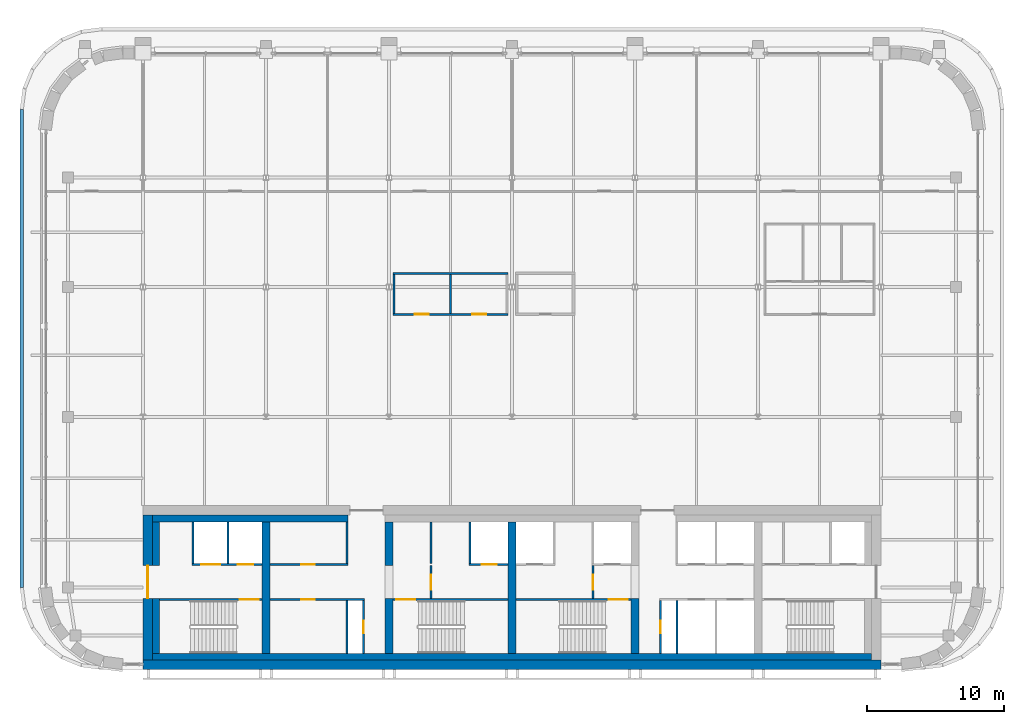
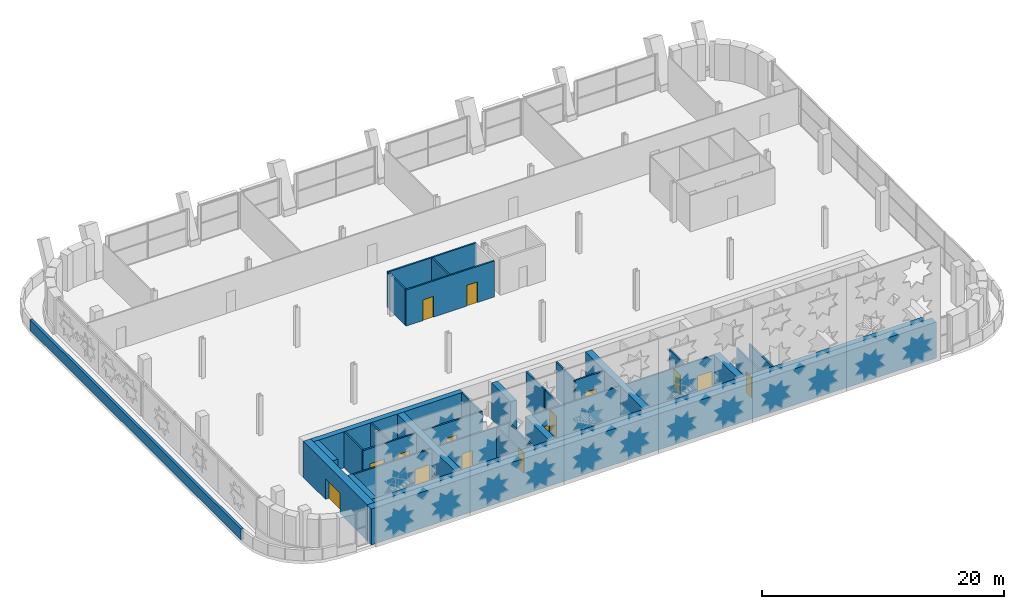
# One storey, part 16 of 25: 34 walls, 15 doors, 15 openings.
"""IFC4 building model written with IfcOpenShell, lengths in metres."""

from ifc_helpers import new_model, si_unit, direction, frame, frame_2d, origin, place, context, subcontext, project, spatial, rectangle, extrude, material, layer, layer_set, type_object, element, fill, save


model = new_model("IFC4")

# Units and contexts
model_context = context("Model", 3, precision=1e-05, world=origin(), true_north=direction((0.0, 1.0)))
body_context = subcontext(model_context, "Body", "Model", "MODEL_VIEW")
ifc_project = project(units=[si_unit("LENGTHUNIT", "METRE"), si_unit("AREAUNIT", "SQUARE_METRE"), si_unit("VOLUMEUNIT", "CUBIC_METRE"), si_unit("PLANEANGLEUNIT", "RADIAN"), si_unit("MASSUNIT", "GRAM", prefix="KILO")], contexts=[model_context])

# Site, building, storey
site_placement = place(None, origin())
site = spatial("IfcSite", under=ifc_project, at=site_placement, CompositionType="ELEMENT")
building_placement = place(site_placement, origin())
building = spatial("IfcBuilding", under=site, at=building_placement, Name="Zellij Exchange Tower", CompositionType="ELEMENT")
storey_placement = place(building_placement, frame((0.0, 0.0, 264.5)))
storey = spatial("IfcBuildingStorey", under=building, at=storey_placement, Name="L62", CompositionType="ELEMENT", Elevation=264.5)

# Walls
ifc_material_1 = material(Name="Concrete C50/60", Category="concrete")
ifc_layer_1 = layer(ifc_material_1, 0.60009765625)
ifc_layer_set_1 = layer_set([ifc_layer_1], Name="Concrete C50/60")
wall_type_1 = type_object("IfcWallType", Name="CORE-CW 600 C50/60", PredefinedType="SHEAR", material=ifc_layer_set_1)
wall_1_placement = place(storey_placement, frame((-18.0, -12.800048828125, 0.0), z_axis=(0.0, 0.0, 1.0), x_axis=(0.0, 1.0, 0.0)))
element("IfcWall", 1, at=wall_1_placement, inside=storey, type_object=wall_type_1, Name="Core cross wall x -18 L62", PredefinedType="SHEAR", context=body_context, shape_type="SweptSolid", body=[
    extrude(rectangle(XDim=9.60009765625, YDim=0.60009765625, at=frame_2d((4.800048828125, 0.0))), origin(), (0.0, 0.0, 1.0), 3.64990234375),
])
wall_2_placement = place(storey_placement, frame((-9.0, -12.800048828125, 0.0), z_axis=(0.0, 0.0, 1.0), x_axis=(0.0, 1.0, 0.0)))
element("IfcWall", 2, at=wall_2_placement, inside=storey, type_object=wall_type_1, Name="Core cross wall pier x -9 a L62", PredefinedType="SHEAR", context=body_context, shape_type="SweptSolid", body=[
    extrude(rectangle(XDim=4.0, YDim=0.60009765625, at=frame_2d((2.0, 0.0))), origin(), (0.0, 0.0, 1.0), 3.64990234375),
])
wall_3_placement = place(storey_placement, frame((-9.0, -6.375, 0.0), z_axis=(0.0, 0.0, 1.0), x_axis=(0.0, 1.0, 0.0)))
element("IfcWall", 3, at=wall_3_placement, inside=storey, type_object=wall_type_1, Name="Core cross wall pier x -9 b L62", PredefinedType="SHEAR", context=body_context, shape_type="SweptSolid", body=[
    extrude(rectangle(XDim=3.175048828125, YDim=0.60009765625, at=frame_2d((1.58740234375, 0.0))), origin(), (0.0, 0.0, 1.0), 3.64990234375),
])
wall_4_placement = place(storey_placement, frame((0.0, -12.800048828125, 0.0), z_axis=(0.0, 0.0, 1.0), x_axis=(0.0, 1.0, 0.0)))
element("IfcWall", 4, at=wall_4_placement, inside=storey, type_object=wall_type_1, Name="Core cross wall x 0 L62", PredefinedType="SHEAR", context=body_context, shape_type="SweptSolid", body=[
    extrude(rectangle(XDim=9.60009765625, YDim=0.60009765625, at=frame_2d((4.800048828125, 0.0))), origin(), (0.0, 0.0, 1.0), 3.64990234375),
])
wall_5_placement = place(storey_placement, frame((9.0, -12.800048828125, 0.0), z_axis=(0.0, 0.0, 1.0), x_axis=(0.0, 1.0, 0.0)))
element("IfcWall", 5, at=wall_5_placement, inside=storey, type_object=wall_type_1, Name="Core cross wall pier x 9 a L62", PredefinedType="SHEAR", context=body_context, shape_type="SweptSolid", body=[
    extrude(rectangle(XDim=4.0, YDim=0.60009765625, at=frame_2d((2.0, 0.0))), origin(), (0.0, 0.0, 1.0), 3.64990234375),
])
ifc_material_2 = material(Name="Concrete C30/37", Category="concrete")
ifc_layer_2 = layer(ifc_material_2, 0.5)
ifc_layer_set_2 = layer_set([ifc_layer_2], Name="Concrete C30/37")
wall_type_2 = type_object("IfcWallType", Name="CORE-LW 500 C30/37", PredefinedType="SHEAR", material=ifc_layer_set_2)
wall_6_placement = place(storey_placement, frame((-26.300048828125, -2.949951171875, 0.0), z_axis=(0.0, 0.0, 1.0), x_axis=(1.0, 0.0, 0.0)))
element("IfcWall", 6, at=wall_6_placement, inside=storey, type_object=wall_type_2, Name="Core wall lining front.0 L62", PredefinedType="SHEAR", context=body_context, shape_type="SweptSolid", body=[
    extrude(rectangle(XDim=14.300048828125, YDim=0.5, at=frame_2d((7.14990234375, 0.0))), origin(), (0.0, 0.0, 1.0), 3.64990234375),
])
wall_7_placement = place(storey_placement, frame((-26.300048828125, -13.050048828125, 0.0), z_axis=(0.0, 0.0, 1.0), x_axis=(1.0, 0.0, 0.0)))
element("IfcWall", 7, at=wall_7_placement, inside=storey, type_object=wall_type_2, Name="Core wall lining rear.0 L62", PredefinedType="SHEAR", context=body_context, shape_type="SweptSolid", body=[
    extrude(rectangle(XDim=52.60009765625, YDim=0.5, at=frame_2d((26.300048828125, 0.0))), origin(), (0.0, 0.0, 1.0), 3.64990234375),
])
wall_8_placement = place(storey_placement, frame((-26.050048828125, -12.800048828125, 0.0), z_axis=(0.0, 0.0, 1.0), x_axis=(0.0, 1.0, 0.0)))
element("IfcWall", 8, at=wall_8_placement, inside=storey, type_object=wall_type_2, Name="Core wall lining end w.0 L62", PredefinedType="SHEAR", context=body_context, shape_type="SweptSolid", body=[
    extrude(rectangle(XDim=4.0, YDim=0.5, at=frame_2d((2.0, 0.0))), origin(), (0.0, 0.0, 1.0), 3.64990234375),
])
wall_9_placement = place(storey_placement, frame((-26.050048828125, -6.375, 0.0), z_axis=(0.0, 0.0, 1.0), x_axis=(0.0, 1.0, 0.0)))
element("IfcWall", 9, at=wall_9_placement, inside=storey, type_object=wall_type_2, Name="Core wall lining end w.1 L62", PredefinedType="SHEAR", context=body_context, shape_type="SweptSolid", body=[
    extrude(rectangle(XDim=3.175048828125, YDim=0.5, at=frame_2d((1.58740234375, 0.0))), origin(), (0.0, 0.0, 1.0), 3.64990234375),
])

# Wall, opening, door
ifc_material_3 = material(Name="Gypsum shaft wall system")
ifc_layer_3 = layer(ifc_material_3, 0.14990234375)
ifc_layer_set_3 = layer_set([ifc_layer_3], Name="Gypsum shaft wall system")
wall_type_3 = type_object("IfcWallType", Name="CORE-PW 150 Firefighting lobby wall", PredefinedType="PARTITIONING", material=ifc_layer_set_3)
wall_10_placement = place(storey_placement, frame((-5.925048828125, -8.800048828125, 0.0), z_axis=(0.0, 0.0, 1.0), x_axis=(0.0, 1.0, 0.0)))
wall_10 = element("IfcWall", 10, at=wall_10_placement, inside=storey, type_object=wall_type_3, Name="Firefighting lobby wall L62", PredefinedType="PARTITIONING", context=body_context, shape_type="SweptSolid", body=[
    extrude(rectangle(XDim=2.425048828125, YDim=0.14990234375, at=frame_2d((1.21240234375, 0.0))), origin(), (0.0, 0.0, 1.0), 3.64990234375),
])
opening_1_placement = place(wall_10_placement, frame((0.662109375, 0.0, 0.0)))
opening_1 = element("IfcOpeningElement", 11, at=opening_1_placement, cuts=wall_10, Name="Opening CA-32.10", PredefinedType="OPENING", context=body_context, shape_type="SweptSolid", body=[
    extrude(rectangle(XDim=1.10009765625, YDim=2.10009765625, at=frame_2d((0.550048828125, 1.050048828125))), frame((0.0, 0.0869140625, 0.0), z_axis=(0.0, -1.0, 0.0), x_axis=(1.0, 0.0, 0.0)), (0.0, 0.0, 1.0), 0.173828125),
])
ifc_material_4 = material(Name="Hollow metal fire door")
door_type_1 = type_object("IfcDoorType", Name="CORE-D F Firefighting lobby door 1100x2100 1 HR", OperationType="NOTDEFINED", PredefinedType="DOOR", material=ifc_material_4)
door_1_placement = place(opening_1_placement, origin())
door_1 = element("IfcDoor", 12, at=door_1_placement, inside=storey, type_object=door_type_1, Name="Firefighting lobby door CA-32.10", OperationType="SINGLE_SWING_LEFT", OverallHeight=2.10009765625, OverallWidth=1.10009765625, PredefinedType="DOOR", context=body_context, shape_type="SweptSolid", body=[
    extrude(rectangle(XDim=1.10009765625, YDim=2.10009765625, at=frame_2d((0.550048828125, 1.050048828125))), frame((0.0, 0.02490234375, 0.0), z_axis=(0.0, -1.0, 0.0), x_axis=(1.0, 0.0, 0.0)), (0.0, 0.0, 1.0), 0.050048828125),
])
fill(opening_1, door_1)

wall_11_placement = place(storey_placement, frame((5.925048828125, -8.800048828125, 0.0), z_axis=(0.0, 0.0, 1.0), x_axis=(0.0, 1.0, 0.0)))
wall_11 = element("IfcWall", 13, at=wall_11_placement, inside=storey, type_object=wall_type_3, Name="Firefighting lobby wall L62", PredefinedType="PARTITIONING", context=body_context, shape_type="SweptSolid", body=[
    extrude(rectangle(XDim=2.425048828125, YDim=0.14990234375, at=frame_2d((1.21240234375, 0.0))), origin(), (0.0, 0.0, 1.0), 3.64990234375),
])
opening_2_placement = place(wall_11_placement, frame((0.662109375, 0.0, 0.0)))
opening_2 = element("IfcOpeningElement", 14, at=opening_2_placement, cuts=wall_11, Name="Opening CA-32.13", PredefinedType="OPENING", context=body_context, shape_type="SweptSolid", body=[
    extrude(rectangle(XDim=1.10009765625, YDim=2.10009765625, at=frame_2d((0.550048828125, 1.050048828125))), frame((0.0, 0.0869140625, 0.0), z_axis=(0.0, -1.0, 0.0), x_axis=(1.0, 0.0, 0.0)), (0.0, 0.0, 1.0), 0.173828125),
])
door_2_placement = place(opening_2_placement, origin())
door_2 = element("IfcDoor", 15, at=door_2_placement, inside=storey, type_object=door_type_1, Name="Firefighting lobby door CA-32.13", OperationType="SINGLE_SWING_RIGHT", OverallHeight=2.10009765625, OverallWidth=1.10009765625, PredefinedType="DOOR", context=body_context, shape_type="SweptSolid", body=[
    extrude(rectangle(XDim=1.10009765625, YDim=2.10009765625, at=frame_2d((0.550048828125, 1.050048828125))), frame((0.0, 0.02490234375, 0.0), z_axis=(0.0, -1.0, 0.0), x_axis=(1.0, 0.0, 0.0)), (0.0, 0.0, 1.0), 0.050048828125),
])
fill(opening_2, door_2)

# Walls
ifc_material_5 = material(Name="Gypsum board partition")
ifc_layer_4 = layer(ifc_material_5, 0.14990234375)
ifc_layer_set_4 = layer_set([ifc_layer_4], Name="Gypsum board partition")
wall_type_4 = type_object("IfcWallType", Name="CORE-PW 150 Lift lobby wall", PredefinedType="PARTITIONING", material=ifc_layer_set_4)
for number, where, z_axis, x_axis, name in (
    (16, (-12.074951171875, -6.22509765625, 0.0), (0.0, 0.0, 1.0), (0.0, 1.0, 0.0), "Lift lobby wall L62"),
    (17, (-5.925048828125, -6.22509765625, 0.0), (0.0, 0.0, 1.0), (0.0, 1.0, 0.0), "Lift lobby wall L62"),
):
    element("IfcWall", number, at=place(storey_placement, frame(where, z_axis=z_axis, x_axis=x_axis)), inside=storey, type_object=wall_type_4, Name=name, PredefinedType="PARTITIONING", context=body_context, shape_type="SweptSolid", body=[
        extrude(rectangle(XDim=3.025146484375, YDim=0.14990234375, at=frame_2d((1.5126953125, 0.0))), origin(), (0.0, 0.0, 1.0), 3.64990234375),
    ])

# Wall, opening, door
wall_12_placement = place(storey_placement, frame((-10.875, -12.800048828125, 0.0), z_axis=(0.0, 0.0, 1.0), x_axis=(0.0, 1.0, 0.0)))
wall_12 = element("IfcWall", 18, at=wall_12_placement, inside=storey, type_object=wall_type_4, Name="Lift lobby wall L62", PredefinedType="PARTITIONING", context=body_context, shape_type="SweptSolid", body=[
    extrude(rectangle(XDim=3.85009765625, YDim=0.14990234375, at=frame_2d((1.925048828125, 0.0))), origin(), (0.0, 0.0, 1.0), 3.64990234375),
])
opening_3_placement = place(wall_12_placement, frame((1.47509765625, 0.0, 0.0)))
opening_3 = element("IfcOpeningElement", 19, at=opening_3_placement, cuts=wall_12, Name="Opening CA-32.07", PredefinedType="OPENING", context=body_context, shape_type="SweptSolid", body=[
    extrude(rectangle(XDim=0.89990234375, YDim=2.10009765625, at=frame_2d((0.449951171875, 1.050048828125))), frame((0.0, 0.0869140625, 0.0), z_axis=(0.0, -1.0, 0.0), x_axis=(1.0, 0.0, 0.0)), (0.0, 0.0, 1.0), 0.173828125),
])
door_type_2 = type_object("IfcDoorType", Name="CORE-D RD Riser door 900x2100 1.5 HR", OperationType="NOTDEFINED", PredefinedType="DOOR", material=ifc_material_4)
door_3_placement = place(opening_3_placement, origin())
door_3 = element("IfcDoor", 20, at=door_3_placement, inside=storey, type_object=door_type_2, Name="Riser door CA-32.07", OperationType="SINGLE_SWING_RIGHT", OverallHeight=2.10009765625, OverallWidth=0.89990234375, PredefinedType="DOOR", context=body_context, shape_type="SweptSolid", body=[
    extrude(rectangle(XDim=0.89990234375, YDim=2.10009765625, at=frame_2d((0.449951171875, 1.050048828125))), frame((0.0, 0.02490234375, 0.0), z_axis=(0.0, -1.0, 0.0), x_axis=(1.0, 0.0, 0.0)), (0.0, 0.0, 1.0), 0.050048828125),
])
fill(opening_3, door_3)

# Wall
wall_13_placement = place(storey_placement, frame((-12.074951171875, -12.800048828125, 0.0), z_axis=(0.0, 0.0, 1.0), x_axis=(0.0, 1.0, 0.0)))
element("IfcWall", 21, at=wall_13_placement, inside=storey, type_object=wall_type_4, Name="Lift lobby wall L62", PredefinedType="PARTITIONING", context=body_context, shape_type="SweptSolid", body=[
    extrude(rectangle(XDim=3.85009765625, YDim=0.14990234375, at=frame_2d((1.925048828125, 0.0))), origin(), (0.0, 0.0, 1.0), 3.64990234375),
])

# Wall, opening, door
wall_14_placement = place(storey_placement, frame((10.875, -12.800048828125, 0.0), z_axis=(0.0, 0.0, 1.0), x_axis=(0.0, 1.0, 0.0)))
wall_14 = element("IfcWall", 22, at=wall_14_placement, inside=storey, type_object=wall_type_4, Name="Lift lobby wall L62", PredefinedType="PARTITIONING", context=body_context, shape_type="SweptSolid", body=[
    extrude(rectangle(XDim=3.85009765625, YDim=0.14990234375, at=frame_2d((1.925048828125, 0.0))), origin(), (0.0, 0.0, 1.0), 3.64990234375),
])
opening_4_placement = place(wall_14_placement, frame((1.47509765625, 0.0, 0.0)))
opening_4 = element("IfcOpeningElement", 23, at=opening_4_placement, cuts=wall_14, Name="Opening CA-32.17", PredefinedType="OPENING", context=body_context, shape_type="SweptSolid", body=[
    extrude(rectangle(XDim=0.89990234375, YDim=2.10009765625, at=frame_2d((0.449951171875, 1.050048828125))), frame((0.0, 0.0869140625, 0.0), z_axis=(0.0, -1.0, 0.0), x_axis=(1.0, 0.0, 0.0)), (0.0, 0.0, 1.0), 0.173828125),
])
door_4_placement = place(opening_4_placement, origin())
door_4 = element("IfcDoor", 24, at=door_4_placement, inside=storey, type_object=door_type_2, Name="Riser door CA-32.17", OperationType="SINGLE_SWING_LEFT", OverallHeight=2.10009765625, OverallWidth=0.89990234375, PredefinedType="DOOR", context=body_context, shape_type="SweptSolid", body=[
    extrude(rectangle(XDim=0.89990234375, YDim=2.10009765625, at=frame_2d((0.449951171875, 1.050048828125))), frame((0.0, 0.02490234375, 0.0), z_axis=(0.0, -1.0, 0.0), x_axis=(1.0, 0.0, 0.0)), (0.0, 0.0, 1.0), 0.050048828125),
])
fill(opening_4, door_4)

wall_15_placement = place(storey_placement, frame((-17.699951171875, -6.300048828125, 0.0), z_axis=(0.0, 0.0, 1.0), x_axis=(1.0, 0.0, 0.0)))
wall_15 = element("IfcWall", 25, at=wall_15_placement, inside=storey, type_object=wall_type_4, Name="Lift lobby wall L62", PredefinedType="PARTITIONING", context=body_context, shape_type="SweptSolid", body=[
    extrude(rectangle(XDim=5.699951171875, YDim=0.14990234375, at=frame_2d((2.85009765625, 0.0))), origin(), (0.0, 0.0, 1.0), 3.64990234375),
])
opening_5_placement = place(wall_15_placement, frame((2.27490234375, 0.0, 0.0)))
opening_5 = element("IfcOpeningElement", 26, at=opening_5_placement, cuts=wall_15, Name="Opening CA-32.06", PredefinedType="OPENING", context=body_context, shape_type="SweptSolid", body=[
    extrude(rectangle(XDim=1.0, YDim=2.10009765625, at=frame_2d((0.5, 1.050048828125))), frame((0.0, 0.0869140625, 0.0), z_axis=(0.0, -1.0, 0.0), x_axis=(1.0, 0.0, 0.0)), (0.0, 0.0, 1.0), 0.173828125),
])
door_type_3 = type_object("IfcDoorType", Name="CORE-D CD Core room door 1000x2100 1 HR", OperationType="NOTDEFINED", PredefinedType="DOOR", material=ifc_material_4)
door_5_placement = place(opening_5_placement, origin())
door_5 = element("IfcDoor", 27, at=door_5_placement, inside=storey, type_object=door_type_3, Name="Core room door CA-32.06", OperationType="SINGLE_SWING_LEFT", OverallHeight=2.10009765625, OverallWidth=1.0, PredefinedType="DOOR", context=body_context, shape_type="SweptSolid", body=[
    extrude(rectangle(XDim=1.0, YDim=2.10009765625, at=frame_2d((0.5, 1.050048828125))), frame((0.0, 0.02490234375, 0.0), z_axis=(0.0, -1.0, 0.0), x_axis=(1.0, 0.0, 0.0)), (0.0, 0.0, 1.0), 0.050048828125),
])
fill(opening_5, door_5)

wall_16_placement = place(storey_placement, frame((-17.699951171875, -8.875, 0.0), z_axis=(0.0, 0.0, 1.0), x_axis=(1.0, 0.0, 0.0)))
wall_16 = element("IfcWall", 28, at=wall_16_placement, inside=storey, type_object=wall_type_4, Name="Lift lobby wall L62", PredefinedType="PARTITIONING", context=body_context, shape_type="SweptSolid", body=[
    extrude(rectangle(XDim=6.89990234375, YDim=0.14990234375, at=frame_2d((3.449951171875, 0.0))), origin(), (0.0, 0.0, 1.0), 3.64990234375),
])
opening_6_placement = place(wall_16_placement, frame((2.27490234375, 0.0, 0.0)))
opening_6 = element("IfcOpeningElement", 29, at=opening_6_placement, cuts=wall_16, Name="Opening CA-32.05", PredefinedType="OPENING", context=body_context, shape_type="SweptSolid", body=[
    extrude(rectangle(XDim=1.0, YDim=2.10009765625, at=frame_2d((0.5, 1.050048828125))), frame((0.0, 0.0869140625, 0.0), z_axis=(0.0, -1.0, 0.0), x_axis=(1.0, 0.0, 0.0)), (0.0, 0.0, 1.0), 0.173828125),
])
door_6_placement = place(opening_6_placement, origin())
door_6 = element("IfcDoor", 30, at=door_6_placement, inside=storey, type_object=door_type_3, Name="Core room door CA-32.05", OperationType="SINGLE_SWING_RIGHT", OverallHeight=2.10009765625, OverallWidth=1.0, PredefinedType="DOOR", context=body_context, shape_type="SweptSolid", body=[
    extrude(rectangle(XDim=1.0, YDim=2.10009765625, at=frame_2d((0.5, 1.050048828125))), frame((0.0, 0.02490234375, 0.0), z_axis=(0.0, -1.0, 0.0), x_axis=(1.0, 0.0, 0.0)), (0.0, 0.0, 1.0), 0.050048828125),
])
fill(opening_6, door_6)

# Walls
ifc_layer_5 = layer(ifc_material_3, 0.14990234375)
ifc_layer_set_5 = layer_set([ifc_layer_5], Name="Gypsum shaft wall system")
wall_type_5 = type_object("IfcWallType", Name="CORE-PW 150 Lift shaft wall", PredefinedType="PARTITIONING", material=ifc_layer_set_5)
for number, where, z_axis, x_axis, name in (
    (31, (-20.77490234375, -6.22509765625, 0.0), (0.0, 0.0, 1.0), (0.0, 1.0, 0.0), "Lift shaft wall L62"),
    (32, (-23.324951171875, -6.22509765625, 0.0), (0.0, 0.0, 1.0), (0.0, 1.0, 0.0), "Lift shaft wall L62"),
    (33, (-3.074951171875, -6.22509765625, 0.0), (0.0, 0.0, 1.0), (0.0, 1.0, 0.0), "Lift shaft wall L62"),
):
    element("IfcWall", number, at=place(storey_placement, frame(where, z_axis=z_axis, x_axis=x_axis)), inside=storey, type_object=wall_type_5, Name=name, PredefinedType="PARTITIONING", context=body_context, shape_type="SweptSolid", body=[
        extrude(rectangle(XDim=3.025146484375, YDim=0.14990234375, at=frame_2d((1.5126953125, 0.0))), origin(), (0.0, 0.0, 1.0), 3.64990234375),
    ])
wall_17_placement = place(storey_placement, frame((12.074951171875, -12.800048828125, 0.0), z_axis=(0.0, 0.0, 1.0), x_axis=(0.0, 1.0, 0.0)))
element("IfcWall", 34, at=wall_17_placement, inside=storey, type_object=wall_type_5, Name="Lift shaft wall L62", PredefinedType="PARTITIONING", context=body_context, shape_type="SweptSolid", body=[
    extrude(rectangle(XDim=3.85009765625, YDim=0.14990234375, at=frame_2d((1.925048828125, 0.0))), origin(), (0.0, 0.0, 1.0), 3.64990234375),
])

# Wall, openings, doors
wall_18_placement = place(storey_placement, frame((-23.39990234375, -6.300048828125, 0.0), z_axis=(0.0, 0.0, 1.0), x_axis=(1.0, 0.0, 0.0)))
wall_18 = element("IfcWall", 35, at=wall_18_placement, inside=storey, type_object=wall_type_5, Name="Lift shaft wall L62", PredefinedType="PARTITIONING", context=body_context, shape_type="SweptSolid", body=[
    extrude(rectangle(XDim=5.099853515625, YDim=0.14990234375, at=frame_2d((2.5498046875, 0.0))), origin(), (0.0, 0.0, 1.0), 3.64990234375),
])
opening_7_placement = place(wall_18_placement, frame((0.64990234375, 0.0, 0.0)))
opening_7 = element("IfcOpeningElement", 36, at=opening_7_placement, cuts=wall_18, Name="Opening CA-32.02", PredefinedType="OPENING", context=body_context, shape_type="SweptSolid", body=[
    extrude(rectangle(XDim=1.39990234375, YDim=2.10009765625, at=frame_2d((0.699951171875, 1.050048828125))), frame((0.0, 0.0869140625, 0.0), z_axis=(0.0, -1.0, 0.0), x_axis=(1.0, 0.0, 0.0)), (0.0, 0.0, 1.0), 0.173828125),
])
opening_8_placement = place(wall_18_placement, frame((3.35009765625, 0.0, 0.0)))
opening_8 = element("IfcOpeningElement", 37, at=opening_8_placement, cuts=wall_18, Name="Opening CA-32.03", PredefinedType="OPENING", context=body_context, shape_type="SweptSolid", body=[
    extrude(rectangle(XDim=1.10009765625, YDim=2.10009765625, at=frame_2d((0.550048828125, 1.050048828125))), frame((0.0, 0.0869140625, 0.0), z_axis=(0.0, -1.0, 0.0), x_axis=(1.0, 0.0, 0.0)), (0.0, 0.0, 1.0), 0.173828125),
])
door_type_4 = type_object("IfcDoorType", Name="CORE-D LD Lift landing door 1100x2100 1.5 HR", OperationType="NOTDEFINED", PredefinedType="DOOR", material=ifc_material_4)
door_7_placement = place(opening_8_placement, origin())
door_7 = element("IfcDoor", 38, at=door_7_placement, inside=storey, type_object=door_type_4, Name="Lift landing door CA-32.03", OperationType="SLIDING_TO_LEFT", OverallHeight=2.10009765625, OverallWidth=1.10009765625, PredefinedType="DOOR", context=body_context, shape_type="SweptSolid", body=[
    extrude(rectangle(XDim=1.10009765625, YDim=2.10009765625, at=frame_2d((0.550048828125, 1.050048828125))), frame((0.0, 0.02490234375, 0.0), z_axis=(0.0, -1.0, 0.0), x_axis=(1.0, 0.0, 0.0)), (0.0, 0.0, 1.0), 0.050048828125),
])
fill(opening_8, door_7)
door_type_5 = type_object("IfcDoorType", Name="CORE-D LD2 Service lift landing door 1400x2100 1.5 HR", OperationType="NOTDEFINED", PredefinedType="DOOR", material=ifc_material_4)
door_8_placement = place(opening_7_placement, origin())
door_8 = element("IfcDoor", 39, at=door_8_placement, inside=storey, type_object=door_type_5, Name="Service lift landing door CA-32.02", OperationType="SLIDING_TO_RIGHT", OverallHeight=2.10009765625, OverallWidth=1.39990234375, PredefinedType="DOOR", context=body_context, shape_type="SweptSolid", body=[
    extrude(rectangle(XDim=1.39990234375, YDim=2.10009765625, at=frame_2d((0.699951171875, 1.050048828125))), frame((0.0, 0.02490234375, 0.0), z_axis=(0.0, -1.0, 0.0), x_axis=(1.0, 0.0, 0.0)), (0.0, 0.0, 1.0), 0.050048828125),
])
fill(opening_7, door_8)

# Wall, opening, door
wall_19_placement = place(storey_placement, frame((-3.14990234375, -6.300048828125, 0.0), z_axis=(0.0, 0.0, 1.0), x_axis=(1.0, 0.0, 0.0)))
wall_19 = element("IfcWall", 40, at=wall_19_placement, inside=storey, type_object=wall_type_5, Name="Lift shaft wall L62", PredefinedType="PARTITIONING", context=body_context, shape_type="SweptSolid", body=[
    extrude(rectangle(XDim=2.849853515625, YDim=0.14990234375, at=frame_2d((1.4248046875, 0.0))), origin(), (0.0, 0.0, 1.0), 3.64990234375),
])
opening_9_placement = place(wall_19_placement, frame((0.949951171875, 0.0, 0.0)))
opening_9 = element("IfcOpeningElement", 41, at=opening_9_placement, cuts=wall_19, Name="Opening CA-32.11", PredefinedType="OPENING", context=body_context, shape_type="SweptSolid", body=[
    extrude(rectangle(XDim=1.10009765625, YDim=2.10009765625, at=frame_2d((0.550048828125, 1.050048828125))), frame((0.0, 0.0869140625, 0.0), z_axis=(0.0, -1.0, 0.0), x_axis=(1.0, 0.0, 0.0)), (0.0, 0.0, 1.0), 0.173828125),
])
door_9_placement = place(opening_9_placement, origin())
door_9 = element("IfcDoor", 42, at=door_9_placement, inside=storey, type_object=door_type_4, Name="Lift landing door CA-32.11", OperationType="SLIDING_TO_LEFT", OverallHeight=2.10009765625, OverallWidth=1.10009765625, PredefinedType="DOOR", context=body_context, shape_type="SweptSolid", body=[
    extrude(rectangle(XDim=1.10009765625, YDim=2.10009765625, at=frame_2d((0.550048828125, 1.050048828125))), frame((0.0, 0.02490234375, 0.0), z_axis=(0.0, -1.0, 0.0), x_axis=(1.0, 0.0, 0.0)), (0.0, 0.0, 1.0), 0.050048828125),
])
fill(opening_9, door_9)

# Wall
ifc_layer_6 = layer(ifc_material_1, 0.699951171875)
ifc_layer_set_6 = layer_set([ifc_layer_6], Name="Concrete C50/60")
wall_type_6 = type_object("IfcWallType", Name="CORE-SW 700 C50/60", PredefinedType="SHEAR", material=ifc_layer_set_6)
wall_20_placement = place(storey_placement, frame((-27.0, -13.64990234375, 0.0), z_axis=(0.0, 0.0, 1.0), x_axis=(1.0, 0.0, 0.0)))
element("IfcWall", 43, at=wall_20_placement, inside=storey, type_object=wall_type_6, Name="Core shear wall rear L62", PredefinedType="SHEAR", context=body_context, shape_type="SweptSolid", body=[
    extrude(rectangle(XDim=54.0, YDim=0.699951171875, at=frame_2d((27.0, 0.0))), origin(), (0.0, 0.0, 1.0), 3.64990234375),
])

# Wall, opening, door
wall_21_placement = place(storey_placement, frame((-26.64990234375, -13.300048828125, 0.0), z_axis=(0.0, 0.0, 1.0), x_axis=(0.0, 1.0, 0.0)))
wall_21 = element("IfcWall", 44, at=wall_21_placement, inside=storey, type_object=wall_type_6, Name="Core shear wall end w L62", PredefinedType="SHEAR", context=body_context, shape_type="SweptSolid", body=[
    extrude(rectangle(XDim=10.60009765625, YDim=0.699951171875, at=frame_2d((5.300048828125, 0.0))), origin(), (0.0, 0.0, 1.0), 3.64990234375),
])
opening_10_placement = place(wall_21_placement, frame((4.511962890625, 0.0, 0.0)))
opening_10 = element("IfcOpeningElement", 45, at=opening_10_placement, cuts=wall_21, Name="Opening CA-32.01", PredefinedType="OPENING", context=body_context, shape_type="SweptSolid", body=[
    extrude(rectangle(XDim=2.39990234375, YDim=2.10009765625, at=frame_2d((1.199951171875, 1.050048828125))), frame((0.0, 0.36181640625, 0.0), z_axis=(0.0, -1.0, 0.0), x_axis=(1.0, 0.0, 0.0)), (0.0, 0.0, 1.0), 0.723876953125),
])
door_type_6 = type_object("IfcDoorType", Name="CORE-D CE Core entrance door 2400x2100 20 MIN", OperationType="NOTDEFINED", PredefinedType="DOOR", material=ifc_material_4)
door_10_placement = place(opening_10_placement, origin())
door_10 = element("IfcDoor", 46, at=door_10_placement, inside=storey, type_object=door_type_6, Name="Core entrance door CA-32.01", OperationType="DOUBLE_DOOR_SINGLE_SWING", OverallHeight=2.10009765625, OverallWidth=2.39990234375, PredefinedType="DOOR", context=body_context, shape_type="SweptSolid", body=[
    extrude(rectangle(XDim=2.39990234375, YDim=2.10009765625, at=frame_2d((1.199951171875, 1.050048828125))), frame((0.0, 0.02490234375, 0.0), z_axis=(0.0, -1.0, 0.0), x_axis=(1.0, 0.0, 0.0)), (0.0, 0.0, 1.0), 0.050048828125),
])
fill(opening_10, door_10)

ifc_layer_7 = layer(ifc_material_1, 0.14990234375)
ifc_layer_set_7 = layer_set([ifc_layer_7], Name="Concrete C50/60")
wall_type_7 = type_object("IfcWallType", Name="CORE-SWS 150 C50/60", PredefinedType="SHEAR", material=ifc_layer_set_7)
wall_22_placement = place(storey_placement, frame((-25.800048828125, -8.875, 0.0), z_axis=(0.0, 0.0, 1.0), x_axis=(1.0, 0.0, 0.0)))
wall_22 = element("IfcWall", 47, at=wall_22_placement, inside=storey, type_object=wall_type_7, Name="Stair enclosure wall L62", PredefinedType="SHEAR", context=body_context, shape_type="SweptSolid", body=[
    extrude(rectangle(XDim=7.5, YDim=0.14990234375, at=frame_2d((3.75, 0.0))), origin(), (0.0, 0.0, 1.0), 3.64990234375),
])
opening_11_placement = place(wall_22_placement, frame((5.875, 0.0, 0.0)))
opening_11 = element("IfcOpeningElement", 48, at=opening_11_placement, cuts=wall_22, Name="Opening CA-32.04", PredefinedType="OPENING", context=body_context, shape_type="SweptSolid", body=[
    extrude(rectangle(XDim=1.39990234375, YDim=2.10009765625, at=frame_2d((0.699951171875, 1.050048828125))), frame((0.0, 0.0869140625, 0.0), z_axis=(0.0, -1.0, 0.0), x_axis=(1.0, 0.0, 0.0)), (0.0, 0.0, 1.0), 0.173828125),
])
door_type_7 = type_object("IfcDoorType", Name="CORE-D SD Stair door 1400x2100 1.5 HR", OperationType="NOTDEFINED", PredefinedType="DOOR", material=ifc_material_4)
door_11_placement = place(opening_11_placement, origin())
door_11 = element("IfcDoor", 49, at=door_11_placement, inside=storey, type_object=door_type_7, Name="Stair door CA-32.04", OperationType="DOUBLE_DOOR_SINGLE_SWING", OverallHeight=2.10009765625, OverallWidth=1.39990234375, PredefinedType="DOOR", context=body_context, shape_type="SweptSolid", body=[
    extrude(rectangle(XDim=1.39990234375, YDim=2.10009765625, at=frame_2d((0.699951171875, 1.050048828125))), frame((0.0, 0.02490234375, 0.0), z_axis=(0.0, -1.0, 0.0), x_axis=(1.0, 0.0, 0.0)), (0.0, 0.0, 1.0), 0.050048828125),
])
fill(opening_11, door_11)

wall_23_placement = place(storey_placement, frame((-8.699951171875, -8.875, 0.0), z_axis=(0.0, 0.0, 1.0), x_axis=(1.0, 0.0, 0.0)))
wall_23 = element("IfcWall", 50, at=wall_23_placement, inside=storey, type_object=wall_type_7, Name="Stair enclosure wall L62", PredefinedType="SHEAR", context=body_context, shape_type="SweptSolid", body=[
    extrude(rectangle(XDim=8.39990234375, YDim=0.14990234375, at=frame_2d((4.199951171875, 0.0))), origin(), (0.0, 0.0, 1.0), 3.64990234375),
])
opening_12_placement = place(wall_23_placement, frame((0.22509765625, 0.0, 0.0)))
opening_12 = element("IfcOpeningElement", 51, at=opening_12_placement, cuts=wall_23, Name="Opening CA-32.09", PredefinedType="OPENING", context=body_context, shape_type="SweptSolid", body=[
    extrude(rectangle(XDim=1.39990234375, YDim=2.10009765625, at=frame_2d((0.699951171875, 1.050048828125))), frame((0.0, 0.0869140625, 0.0), z_axis=(0.0, -1.0, 0.0), x_axis=(1.0, 0.0, 0.0)), (0.0, 0.0, 1.0), 0.173828125),
])
door_12_placement = place(opening_12_placement, origin())
door_12 = element("IfcDoor", 52, at=door_12_placement, inside=storey, type_object=door_type_7, Name="Stair door CA-32.09", OperationType="DOUBLE_DOOR_SINGLE_SWING", OverallHeight=2.10009765625, OverallWidth=1.39990234375, PredefinedType="DOOR", context=body_context, shape_type="SweptSolid", body=[
    extrude(rectangle(XDim=1.39990234375, YDim=2.10009765625, at=frame_2d((0.699951171875, 1.050048828125))), frame((0.0, 0.02490234375, 0.0), z_axis=(0.0, -1.0, 0.0), x_axis=(1.0, 0.0, 0.0)), (0.0, 0.0, 1.0), 0.050048828125),
])
fill(opening_12, door_12)

wall_24_placement = place(storey_placement, frame((0.300048828125, -8.875, 0.0), z_axis=(0.0, 0.0, 1.0), x_axis=(1.0, 0.0, 0.0)))
wall_24 = element("IfcWall", 53, at=wall_24_placement, inside=storey, type_object=wall_type_7, Name="Stair enclosure wall L62", PredefinedType="SHEAR", context=body_context, shape_type="SweptSolid", body=[
    extrude(rectangle(XDim=8.39990234375, YDim=0.14990234375, at=frame_2d((4.199951171875, 0.0))), origin(), (0.0, 0.0, 1.0), 3.64990234375),
])
opening_13_placement = place(wall_24_placement, frame((6.77490234375, 0.0, 0.0)))
opening_13 = element("IfcOpeningElement", 54, at=opening_13_placement, cuts=wall_24, Name="Opening CA-32.15", PredefinedType="OPENING", context=body_context, shape_type="SweptSolid", body=[
    extrude(rectangle(XDim=1.39990234375, YDim=2.10009765625, at=frame_2d((0.699951171875, 1.050048828125))), frame((0.0, 0.0869140625, 0.0), z_axis=(0.0, -1.0, 0.0), x_axis=(1.0, 0.0, 0.0)), (0.0, 0.0, 1.0), 0.173828125),
])
door_13_placement = place(opening_13_placement, origin())
door_13 = element("IfcDoor", 55, at=door_13_placement, inside=storey, type_object=door_type_7, Name="Stair door CA-32.15", OperationType="DOUBLE_DOOR_SINGLE_SWING", OverallHeight=2.10009765625, OverallWidth=1.39990234375, PredefinedType="DOOR", context=body_context, shape_type="SweptSolid", body=[
    extrude(rectangle(XDim=1.39990234375, YDim=2.10009765625, at=frame_2d((0.699951171875, 1.050048828125))), frame((0.0, 0.02490234375, 0.0), z_axis=(0.0, -1.0, 0.0), x_axis=(1.0, 0.0, 0.0)), (0.0, 0.0, 1.0), 0.050048828125),
])
fill(opening_13, door_13)

# Wall
ifc_material_6 = material(Name="Precast concrete C40/50", Category="concrete")
ifc_layer_8 = layer(ifc_material_6, 0.25)
ifc_layer_set_8 = layer_set([ifc_layer_8], Name="Precast concrete C40/50")
wall_type_8 = type_object("IfcWallType", Name="ENV-PR1 Parapet 250", PredefinedType="PARAPET", material=ifc_layer_set_8)
wall_25_placement = place(storey_placement, frame((-35.875, 26.983642578125, 0.0), z_axis=(0.0, 0.0, 1.0), x_axis=(0.0, -1.0, 0.0)))
element("IfcWall", 56, at=wall_25_placement, inside=storey, type_object=wall_type_8, Name="fac.par.L62.01.01.21", PredefinedType="PARAPET", context=body_context, shape_type="SweptSolid", body=[
    extrude(rectangle(XDim=34.96728515625, YDim=0.25, at=frame_2d((17.483642578125, 0.0))), origin(), (0.0, 0.0, 1.0), 1.10009765625),
])

# Wall, openings, doors
ifc_material_7 = material(Name="Gypsum board shaft-wall partition", Category="gypsum")
ifc_layer_9 = layer(ifc_material_7, 0.14990234375)
ifc_layer_set_9 = layer_set([ifc_layer_9], Name="Gypsum board shaft-wall partition")
wall_type_9 = type_object("IfcWallType", Name="FIT-PARTITION-150-EI60", PredefinedType="PARTITIONING", material=ifc_layer_set_9)
wall_26_placement = place(storey_placement, frame((-8.72509765625, 12.0, 0.0), z_axis=(0.0, 0.0, 1.0), x_axis=(1.0, 0.0, 0.0)))
wall_26 = element("IfcWall", 57, at=wall_26_placement, inside=storey, type_object=wall_type_9, Name="FIT-PARTITION-150-EI60 001", PredefinedType="PARTITIONING", context=body_context, shape_type="SweptSolid", body=[
    extrude(rectangle(XDim=8.4501953125, YDim=0.14990234375, at=frame_2d((4.22509765625, 0.0))), origin(), (0.0, 0.0, 1.0), 3.64990234375),
])
opening_14_placement = place(wall_26_placement, frame((1.625, 0.0, 0.0)))
opening_14 = element("IfcOpeningElement", 58, at=opening_14_placement, cuts=wall_26, Name="Opening SL62.01", PredefinedType="OPENING", context=body_context, shape_type="SweptSolid", body=[
    extrude(rectangle(XDim=1.0, YDim=2.10009765625, at=frame_2d((0.5, 1.050048828125))), frame((0.0, 0.0869140625, 0.0), z_axis=(0.0, -1.0, 0.0), x_axis=(1.0, 0.0, 0.0)), (0.0, 0.0, 1.0), 0.173828125),
])
opening_15_placement = place(wall_26_placement, frame((5.824951171875, 0.0, 0.0)))
opening_15 = element("IfcOpeningElement", 59, at=opening_15_placement, cuts=wall_26, Name="Opening SL62.02", PredefinedType="OPENING", context=body_context, shape_type="SweptSolid", body=[
    extrude(rectangle(XDim=1.0, YDim=2.10009765625, at=frame_2d((0.5, 1.050048828125))), frame((0.0, 0.0869140625, 0.0), z_axis=(0.0, -1.0, 0.0), x_axis=(1.0, 0.0, 0.0)), (0.0, 0.0, 1.0), 0.173828125),
])
ifc_material_8 = material(Name="Steel fire door set", Category="steel")
door_type_8 = type_object("IfcDoorType", Name="FIT-D4-FIRE-1000X2100", OperationType="SINGLE_SWING_LEFT", PredefinedType="DOOR", material=ifc_material_8)
door_14_placement = place(opening_14_placement, origin())
door_14 = element("IfcDoor", 60, at=door_14_placement, inside=storey, type_object=door_type_8, Name="Door SL62.01", OperationType="SINGLE_SWING_LEFT", OverallHeight=2.10009765625, OverallWidth=1.0, PredefinedType="DOOR", context=body_context, shape_type="SweptSolid", body=[
    extrude(rectangle(XDim=1.0, YDim=2.10009765625, at=frame_2d((0.5, 1.050048828125))), frame((0.0, 0.02490234375, 0.0), z_axis=(0.0, -1.0, 0.0), x_axis=(1.0, 0.0, 0.0)), (0.0, 0.0, 1.0), 0.050048828125),
])
fill(opening_14, door_14)
door_15_placement = place(opening_15_placement, origin())
door_15 = element("IfcDoor", 61, at=door_15_placement, inside=storey, type_object=door_type_8, Name="Door SL62.02", OperationType="SINGLE_SWING_RIGHT", OverallHeight=2.10009765625, OverallWidth=1.0, PredefinedType="DOOR", context=body_context, shape_type="SweptSolid", body=[
    extrude(rectangle(XDim=1.0, YDim=2.10009765625, at=frame_2d((0.5, 1.050048828125))), frame((0.0, 0.02490234375, 0.0), z_axis=(0.0, -1.0, 0.0), x_axis=(1.0, 0.0, 0.0)), (0.0, 0.0, 1.0), 0.050048828125),
])
fill(opening_15, door_15)

# Walls
for number, where, z_axis, x_axis, name in (
    (62, (-8.64990234375, 12.074951171875, 0.0), (0.0, 0.0, 1.0), (0.0, 1.0, 0.0), "FIT-PARTITION-150-EI60 002"),
    (63, (-4.5, 12.074951171875, 0.0), (0.0, 0.0, 1.0), (0.0, 1.0, 0.0), "FIT-PARTITION-150-EI60 003"),
):
    element("IfcWall", number, at=place(storey_placement, frame(where, z_axis=z_axis, x_axis=x_axis)), inside=storey, type_object=wall_type_9, Name=name, PredefinedType="PARTITIONING", context=body_context, shape_type="SweptSolid", body=[
        extrude(rectangle(XDim=2.85009765625, YDim=0.14990234375, at=frame_2d((1.425048828125, 0.0))), origin(), (0.0, 0.0, 1.0), 3.64990234375),
    ])
wall_27_placement = place(storey_placement, frame((-8.72509765625, 15.0, 0.0), z_axis=(0.0, 0.0, 1.0), x_axis=(1.0, 0.0, 0.0)))
element("IfcWall", 64, at=wall_27_placement, inside=storey, type_object=wall_type_9, Name="FIT-PARTITION-150-EI60 014", PredefinedType="PARTITIONING", context=body_context, shape_type="SweptSolid", body=[
    extrude(rectangle(XDim=8.4501953125, YDim=0.14990234375, at=frame_2d((4.22509765625, 0.0))), origin(), (0.0, 0.0, 1.0), 3.64990234375),
])

save(model, "model.ifc")
